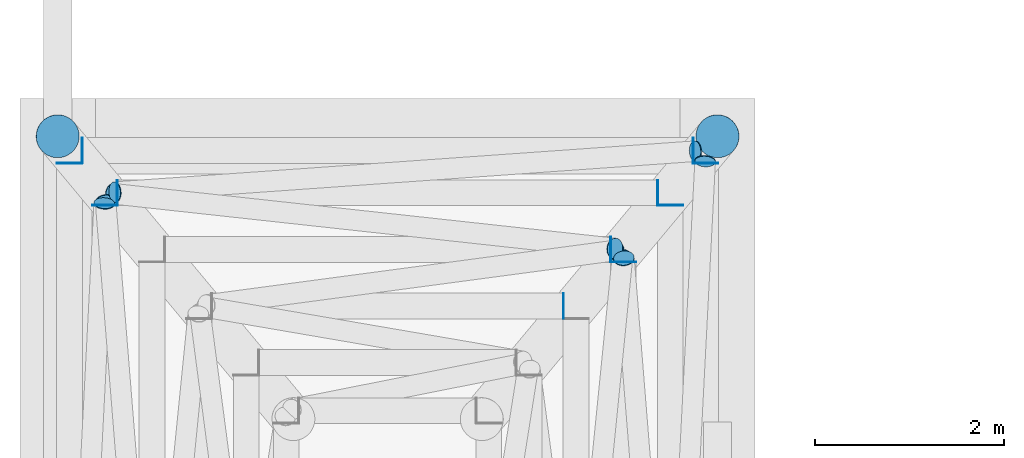
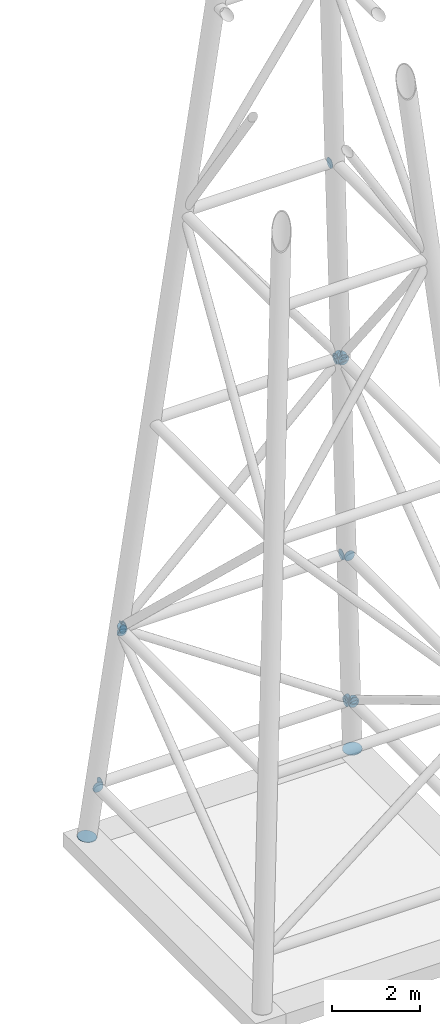
# One storey, part 4 of 4: 23 discrete accessories.
"""IFC4 building model written with IfcOpenShell, lengths in metres."""

from ifc_helpers import new_model, si_unit, direction, frame, origin, origin_2d, place, context, subcontext, project, spatial, circle, extrude, material, material_profile, profile_set, type_object, element, save


model = new_model("IFC4")

# Units and contexts
model_context = context("Model", 3, precision=1e-05, world=origin(), true_north=direction((0.0, 1.0)))
body_context = subcontext(model_context, "Body", "Model", "MODEL_VIEW")
ifc_project = project(units=[si_unit("LENGTHUNIT", "METRE"), si_unit("AREAUNIT", "SQUARE_METRE"), si_unit("VOLUMEUNIT", "CUBIC_METRE"), si_unit("PLANEANGLEUNIT", "RADIAN"), si_unit("MASSUNIT", "GRAM", prefix="KILO")], contexts=[model_context])

# Site, building, storey
site_placement = place(None, origin())
site = spatial("IfcSite", under=ifc_project, at=site_placement, CompositionType="ELEMENT")
building_placement = place(site_placement, origin())
building = spatial("IfcBuilding", under=site, at=building_placement, Name="Wharfspan Tower", CompositionType="ELEMENT")
storey_placement = place(building_placement, frame((0.0, 0.0, 291.360107)))
storey = spatial("IfcBuildingStorey", under=building, at=storey_placement, Name="ROOF", CompositionType="ELEMENT", Elevation=291.360107)

# Discrete accessories
ifc_material = material(Name="Steel S460NH", Category="steel")
ifc_material_profile_1 = material_profile(ifc_material, circle(Radius=0.109619, at=origin_2d()))
ifc_profile_set_1 = profile_set([ifc_material_profile_1], Name="Steel S460NH")
discrete_accessory_type_1 = type_object("IfcDiscreteAccessoryType", Name="End plate CHS 219x8", PredefinedType="BRACKET", material=ifc_profile_set_1)
for number, where, z_axis, x_axis, name in (
    (1, (71.869385, 23.740967, 2.165283), (-0.048941, -0.856465, 0.513879), (0.998372, -0.05705, 0.0), "End plate CHS 219x8"),
    (2, (71.770264, 23.842529, 2.171631), (-0.827302, -0.048665, 0.559645), (0.058723, -0.998276, 1e-06), "End plate CHS 219x8"),
    (3, (65.613037, 23.407959, 6.517822), (-0.827302, -0.048665, 0.559645), (0.058723, -0.998276, 1e-06), "End plate CHS 219x8"),
):
    element("IfcDiscreteAccessory", number, at=place(storey_placement, frame(where, z_axis=z_axis, x_axis=x_axis)), inside=storey, type_object=discrete_accessory_type_1, Name=name, PredefinedType="BRACKET", context=body_context, shape_type="SweptSolid", body=[
        extrude(circle(Radius=0.109619, at=origin_2d()), origin(), (0.0, 0.0, 1.0), 0.01001),
    ])
for number, where, z_axis, x_axis, name in (
    (4, (65.493896, 23.282471, 6.524658), (0.049984, 0.849734, 0.524836), (-0.998277, 0.058723, -2e-06), "End plate CHS 219x8"),
    (5, (71.008057, 22.700684, 12.501465), (-0.074216, 0.717418, 0.692679), (-0.994695, -0.102899, -1e-06), "End plate CHS 219x8"),
    (6, (65.58667, 23.390625, 6.692139), (0.667124, -0.074125, 0.741249), (0.110432, 0.993887, 0.0), "End plate CHS 219x8"),
    (7, (70.906738, 22.810303, 12.49585), (0.667124, -0.074125, 0.741249), (0.110432, 0.993887, 0.0), "End plate CHS 219x8"),
):
    element("IfcDiscreteAccessory", number, at=place(storey_placement, frame(where, z_axis=z_axis, x_axis=x_axis)), inside=storey, type_object=discrete_accessory_type_1, Name=name, PredefinedType="BRACKET", context=body_context, shape_type="SweptSolid", body=[
        extrude(circle(Radius=0.109619, at=origin_2d()), origin(), (0.0, 0.0, 1.0), 0.009766),
    ])
for number, where, z_axis, x_axis, name in (
    (8, (65.507324, 23.307861, 6.686768), (0.072911, -0.72911, 0.680502), (0.99504, 0.099504, 0.0), "End plate CHS 219x8"),
    (9, (70.991943, 22.717773, 12.696045), (-0.072569, -0.62893, 0.774068), (0.993406, -0.114624, 0.0), "End plate CHS 219x8"),
    (10, (70.923096, 22.789795, 12.699951), (-0.586588, -0.073324, 0.806559), (0.124036, -0.992281, 0.0), "End plate CHS 219x8"),
):
    element("IfcDiscreteAccessory", number, at=place(storey_placement, frame(where, z_axis=z_axis, x_axis=x_axis)), inside=storey, type_object=discrete_accessory_type_1, Name=name, PredefinedType="BRACKET", context=body_context, shape_type="SweptSolid", body=[
        extrude(circle(Radius=0.109619, at=origin_2d()), origin(), (0.0, 0.0, 1.0), 0.01001),
    ])
ifc_material_profile_2 = material_profile(ifc_material, circle(Radius=0.136475, at=origin_2d()))
ifc_profile_set_2 = profile_set([ifc_material_profile_2], Name="Steel S460NH")
discrete_accessory_type_2 = type_object("IfcDiscreteAccessoryType", Name="End plate CHS 273x10", PredefinedType="BRACKET", material=ifc_profile_set_2)
for number, where, z_axis, x_axis, name in (
    (11, (71.875, 23.711426, 2.097656), (0.0, 1.0, 0.0), (-1.0, 0.0, 0.0), "End plate CHS 273x10"),
    (12, (71.746582, 23.850098, 2.097656), (-1.0, 0.0, 0.0), (0.0, -1.0, 0.0), "End plate CHS 273x10"),
    (13, (65.263428, 23.850098, 2.097656), (-1.0, 0.0, 0.0), (0.0, -1.0, 0.0), "End plate CHS 273x10"),
    (14, (65.125, 23.721436, 2.097656), (0.0, -1.0, 0.0), (1.0, 0.0, 0.0), "End plate CHS 273x10"),
    (15, (71.5, 23.261475, 6.597656), (0.0, 1.0, 0.0), (-1.0, 0.0, 0.0), "End plate CHS 273x10"),
    (16, (71.371582, 23.399902, 6.597656), (-1.0, 0.0, 0.0), (0.0, -1.0, 0.0), "End plate CHS 273x10"),
    (17, (65.638428, 23.399902, 6.597656), (-1.0, 0.0, 0.0), (0.0, -1.0, 0.0), "End plate CHS 273x10"),
    (18, (65.5, 23.271484, 6.597656), (0.0, -1.0, 0.0), (1.0, 0.0, 0.0), "End plate CHS 273x10"),
):
    element("IfcDiscreteAccessory", number, at=place(storey_placement, frame(where, z_axis=z_axis, x_axis=x_axis)), inside=storey, type_object=discrete_accessory_type_2, Name=name, PredefinedType="BRACKET", context=body_context, shape_type="SweptSolid", body=[
        extrude(circle(Radius=0.136475, at=origin_2d()), origin(), (0.0, 0.0, 1.0), 0.01001),
    ])
discrete_accessory_placement = place(storey_placement, frame((71.0, 22.661621, 12.597656), z_axis=(0.0, 1.0, 0.0), x_axis=(-1.0, 0.0, 0.0)))
element("IfcDiscreteAccessory", 19, at=discrete_accessory_placement, inside=storey, type_object=discrete_accessory_type_2, Name="End plate CHS 273x10", PredefinedType="BRACKET", context=body_context, shape_type="SweptSolid", body=[
    extrude(circle(Radius=0.136475, at=origin_2d()), origin(), (0.0, 0.0, 1.0), 0.009766),
])
for number, where, z_axis, x_axis, name in (
    (20, (70.871582, 22.800049, 12.597656), (-1.0, 0.0, 0.0), (0.0, -1.0, 0.0), "End plate CHS 273x10"),
    (21, (70.371582, 22.199951, 18.597656), (-1.0, 0.0, 0.0), (0.0, -1.0, 0.0), "End plate CHS 273x10"),
):
    element("IfcDiscreteAccessory", number, at=place(storey_placement, frame(where, z_axis=z_axis, x_axis=x_axis)), inside=storey, type_object=discrete_accessory_type_2, Name=name, PredefinedType="BRACKET", context=body_context, shape_type="SweptSolid", body=[
        extrude(circle(Radius=0.136475, at=origin_2d()), origin(), (0.0, 0.0, 1.0), 0.01001),
    ])
ifc_material_profile_3 = material_profile(ifc_material, circle(Radius=0.228516, at=origin_2d()))
ifc_profile_set_3 = profile_set([ifc_material_profile_3], Name="Steel S460NH")
discrete_accessory_type_3 = type_object("IfcDiscreteAccessoryType", Name="End plate CHS 457x16", PredefinedType="BRACKET", material=ifc_profile_set_3)
for number, where, z_axis, x_axis, name in (
    (22, (72.000732, 24.000977, 0.587646), (-0.072633, -0.096844, 0.992646), (0.8, -0.6, 0.0), "End plate CHS 457x16"),
    (23, (64.999268, 24.000977, 0.587646), (0.072633, -0.096844, 0.992646), (0.8, 0.6, 0.0), "End plate CHS 457x16"),
):
    element("IfcDiscreteAccessory", number, at=place(storey_placement, frame(where, z_axis=z_axis, x_axis=x_axis)), inside=storey, type_object=discrete_accessory_type_3, Name=name, PredefinedType="BRACKET", context=body_context, shape_type="SweptSolid", body=[
        extrude(circle(Radius=0.228516, at=origin_2d()), origin(), (0.0, 0.0, 1.0), 0.01001),
    ])

save(model, "model.ifc")
